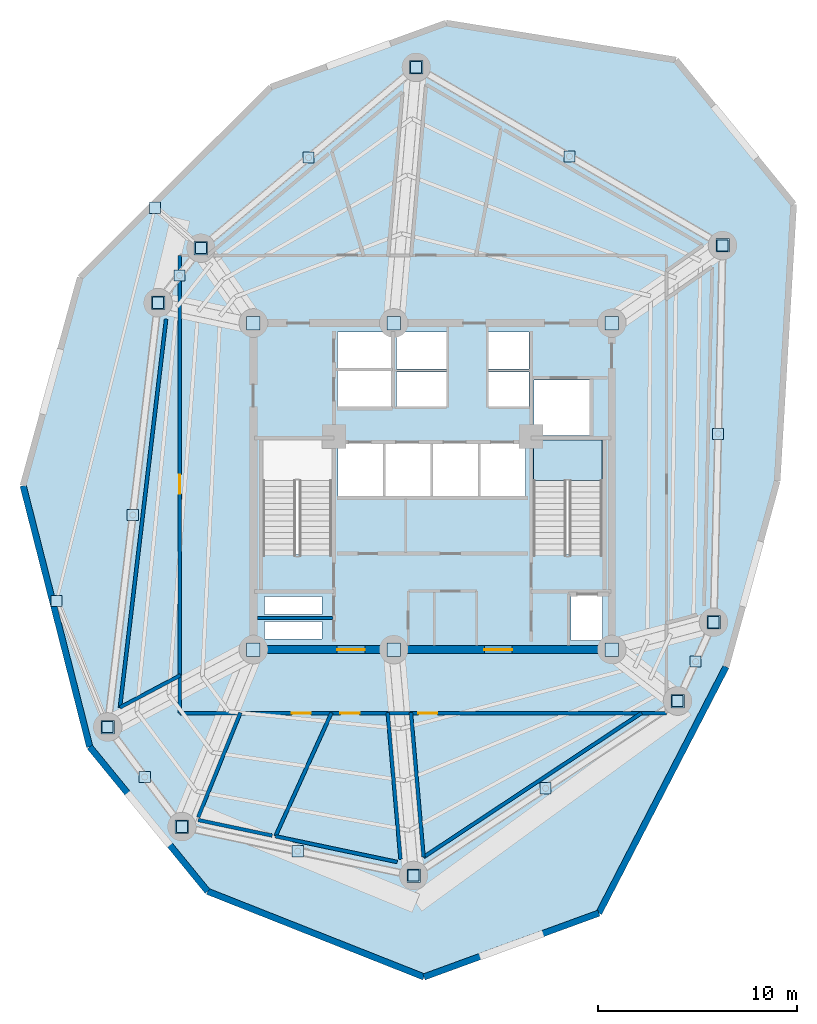
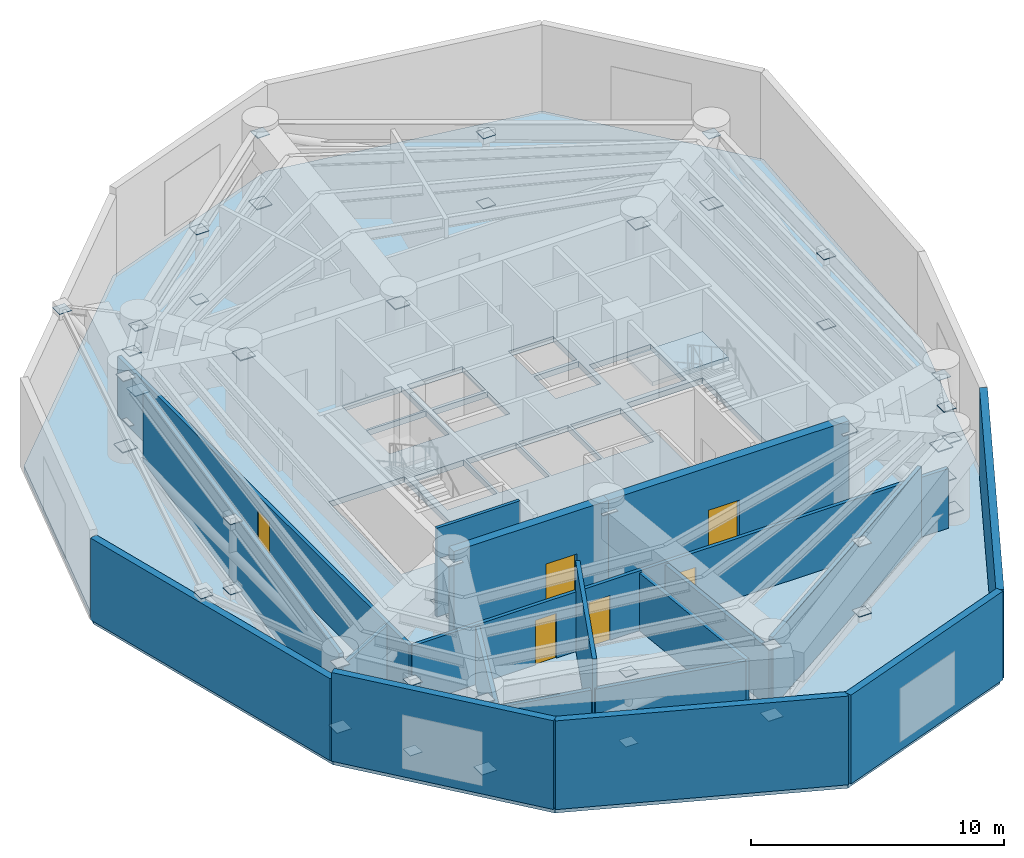
# One storey, part 5 of 11: 44 plates, 19 walls, 6 doors, 2 slabs, 6 openings, 1 element without a shape of its own.
"""IFC4 building model written with IfcOpenShell, lengths in metres."""

from ifc_helpers import new_model, si_unit, direction, frame, frame_2d, origin, origin_with_axes, origin_2d, place, context, subcontext, project, spatial, polyline, rectangle, outline, extrude, source, transform, mapped, material, layer, layer_set, type_object, element, fill, aggregate, save


model = new_model("IFC4")

# Units and contexts
model_context = context("Model", 3, precision=1e-05, world=origin(), true_north=direction((0.0, 1.0)))
body_context = subcontext(model_context, "Body", "Model", "MODEL_VIEW")
ifc_project = project(units=[si_unit("LENGTHUNIT", "METRE"), si_unit("AREAUNIT", "SQUARE_METRE"), si_unit("VOLUMEUNIT", "CUBIC_METRE"), si_unit("PLANEANGLEUNIT", "RADIAN"), si_unit("MASSUNIT", "GRAM", prefix="KILO")], contexts=[model_context])

# Site, building, storey
site_placement = place(None, origin())
site = spatial("IfcSite", under=ifc_project, at=site_placement, CompositionType="ELEMENT")
building_placement = place(site_placement, origin())
building = spatial("IfcBuilding", under=site, at=building_placement, Name="Karkom Vertical University and Central Library", CompositionType="ELEMENT")
storey_placement = place(building_placement, frame((0.0, 0.0, 148.050048828125)))
storey = spatial("IfcBuildingStorey", under=building, at=storey_placement, Name="P42", CompositionType="ELEMENT", Elevation=148.050048828125)

# Stair, slab
ifc_material_1 = material(Name="Concrete C45/55", Category="concrete")
stair_type = type_object("IfcStairType", Name="INT-STR-ST-MAIN", PredefinedType="HALF_TURN_STAIR", material=ifc_material_1)
stair_placement = place(storey_placement, origin())
stair = element("IfcStair", 1, at=stair_placement, inside=storey, type_object=stair_type, Name="Plant Level 42 Tower Protected Exit Stair ST-2", PredefinedType="HALF_TURN_STAIR")
ifc_layer_1 = layer(ifc_material_1, 0.199951171875)
ifc_layer_set_1 = layer_set([ifc_layer_1], Name="Concrete C45/55")
slab_type_1 = type_object("IfcSlabType", Name="INT-SLB-LANDING", PredefinedType="LANDING", material=ifc_layer_set_1)
slab_1_placement = place(storey_placement, frame((0.0, 0.0, 2.050048828125)))
slab_1 = element("IfcSlab", 2, at=slab_1_placement, type_object=slab_type_1, Name="ST-2 landing 1", PredefinedType="LANDING", context=body_context, shape_type="SweptSolid", body=[
    extrude(outline(polyline([(37.02001953125, 26.7900390625), (37.02001953125, 28.820068359375), (33.56005859375, 28.820068359375), (33.56005859375, 26.7900390625), (37.02001953125, 26.7900390625)])), origin(), (0.0, 0.0, 1.0), 0.199951171875),
])
aggregate(stair, [slab_1])

# Slab
ifc_layer_2 = layer(ifc_material_1, 0.27490234375)
ifc_layer_set_2 = layer_set([ifc_layer_2], Name="Concrete C45/55")
slab_type_2 = type_object("IfcSlabType", Name="STR-SLB-FLR-275", PredefinedType="FLOOR", material=ifc_layer_set_2)
slab_2_placement = place(storey_placement, frame((0.0, 0.0, -0.275146484375)))
element("IfcSlab", 3, at=slab_2_placement, inside=storey, type_object=slab_type_2, Name="Plant Level 42 Tower Structural Floor Slab", PredefinedType="FLOOR", context=body_context, shape_type="SweptSolid", body=[
    extrude(outline(polyline([(10.79931640625, 36.9833984375), (7.927978515625, 26.52978515625), (11.273681640625, 13.4111328125), (17.19873046875, 6.150390625), (28.067626953125, 1.85009765625), (36.8515625, 5.05810546875), (43.241455078125, 17.431884765625), (45.80517578125, 26.764892578125), (46.6328125, 40.666748046875), (40.720703125, 47.911865234375), (29.179931640625, 49.76708984375), (20.377197265625, 46.552001953125), (10.79931640625, 36.9833984375)]), holes=[polyline([(19.97998046875, 23.0849609375), (23.43994140625, 23.0849609375), (23.43994140625, 28.820068359375), (19.97998046875, 28.820068359375), (19.97998046875, 23.0849609375)]), polyline([(33.56005859375, 23.0849609375), (37.02001953125, 23.0849609375), (37.02001953125, 28.820068359375), (33.56005859375, 28.820068359375), (33.56005859375, 23.0849609375)]), polyline([(23.75, 26.0), (26.030029296875, 26.0), (26.030029296875, 28.64990234375), (23.75, 28.64990234375), (23.75, 26.0)]), polyline([(26.1298828125, 26.0), (28.409912109375, 26.0), (28.409912109375, 28.64990234375), (26.1298828125, 28.64990234375), (26.1298828125, 26.0)]), polyline([(28.510009765625, 26.0), (30.7900390625, 26.0), (30.7900390625, 28.64990234375), (28.510009765625, 28.64990234375), (28.510009765625, 26.0)]), polyline([(30.889892578125, 26.0), (33.169921875, 26.0), (33.169921875, 28.64990234375), (30.889892578125, 28.64990234375), (30.889892578125, 26.0)]), polyline([(26.679931640625, 30.5), (29.199951171875, 30.5), (29.199951171875, 32.25), (26.679931640625, 32.25), (26.679931640625, 30.5)]), polyline([(26.679931640625, 32.39990234375), (29.199951171875, 32.39990234375), (29.199951171875, 34.25), (26.679931640625, 34.25), (26.679931640625, 32.39990234375)]), polyline([(31.300048828125, 30.5), (33.35009765625, 30.5), (33.35009765625, 32.25), (31.300048828125, 32.25), (31.300048828125, 30.5)]), polyline([(31.300048828125, 32.39990234375), (33.35009765625, 32.39990234375), (33.35009765625, 34.25), (31.300048828125, 34.25), (31.300048828125, 32.39990234375)]), polyline([(23.719970703125, 30.47998046875), (26.429931640625, 30.47998046875), (26.429931640625, 32.320068359375), (23.719970703125, 32.320068359375), (23.719970703125, 30.47998046875)]), polyline([(23.719970703125, 32.419921875), (26.429931640625, 32.419921875), (26.429931640625, 34.260009765625), (23.719970703125, 34.260009765625), (23.719970703125, 32.419921875)]), polyline([(33.60009765625, 29.050048828125), (36.39990234375, 29.050048828125), (36.39990234375, 31.85009765625), (33.60009765625, 31.85009765625), (33.60009765625, 29.050048828125)]), polyline([(20.050048828125, 18.820068359375), (22.949951171875, 18.820068359375), (22.949951171875, 19.719970703125), (20.050048828125, 19.719970703125), (20.050048828125, 18.820068359375)]), polyline([(20.050048828125, 20.06005859375), (22.949951171875, 20.06005859375), (22.949951171875, 20.9599609375), (20.050048828125, 20.9599609375), (20.050048828125, 20.06005859375)]), polyline([(35.4599609375, 18.760009765625), (37.0400390625, 18.760009765625), (37.0400390625, 21.010009765625), (35.4599609375, 21.010009765625), (35.4599609375, 18.760009765625)])]), origin(), (0.0, 0.0, 1.0), 0.275146484375),
])

# Plates
ifc_material_2 = material(Name="Steel S355", Category="steel")
ifc_layer_3 = layer(ifc_material_2, 0.028076171875)
ifc_layer_set_3 = layer_set([ifc_layer_3], Name="Steel S355")
plate_type_1 = type_object("IfcPlateType", Name="STR-PLT-GP-2", PredefinedType="USERDEFINED", material=ifc_layer_set_3)
shared_shape_1 = source(origin_with_axes(), body_context, "Body", "SweptSolid", [
    extrude(rectangle(XDim=0.56005859375, YDim=0.56005859375, at=origin_2d()), origin(), (0.0, 0.0, 1.0), 0.028076171875),
])
for number, where, z_axis, x_axis, name in (
    (4, (14.562255859375, 40.489990234375, 4.095703125), (0.0, 0.0, 1.0), (1.0, 0.0, 0.0), "Plant Level 42 Node Gusset Cap Plate P42-SKG-KNEE-1 B"),
    (5, (9.609619140625, 20.74365234375, 4.095703125), (0.0, 0.0, 1.0), (1.0, 0.0, 0.0), "Plant Level 42 Node Gusset Cap Plate P42-SKG-KNEE-2 B"),
    (6, (43.070068359375, 38.60009765625, 3.7109375), (0.0, 0.0, 1.0), (1.0, 0.0, 0.0), "Plant Level 42 Node Gusset Cap Plate P42-BELT-BRACE-01 B"),
    (7, (42.844482421875, 29.135986328125, 0.3359375), (0.0, 0.0, 1.0), (1.0, 0.0, 0.0), "Plant Level 42 Node Gusset Cap Plate P42-BELT-POST-01 A"),
    (8, (42.844482421875, 29.135986328125, 3.7109375), (0.0, 0.0, 1.0), (1.0, 0.0, 0.0), "Plant Level 42 Node Gusset Cap Plate P42-BELT-POST-01 B"),
    (9, (27.674072265625, 47.551025390625, 3.7109375), (0.0, 0.0, 1.0), (1.0, 0.0, 0.0), "Plant Level 42 Node Gusset Cap Plate P42-BELT-BRACE-02 B"),
    (10, (35.3720703125, 43.075439453125, 0.3359375), (0.0, 0.0, 1.0), (1.0, 0.0, 0.0), "Plant Level 42 Node Gusset Cap Plate P42-BELT-POST-02 A"),
    (11, (35.3720703125, 43.075439453125, 3.7109375), (0.0, 0.0, 1.0), (1.0, 0.0, 0.0), "Plant Level 42 Node Gusset Cap Plate P42-BELT-POST-02 B"),
    (12, (16.862060546875, 38.468017578125, 3.7109375), (0.0, 0.0, 1.0), (1.0, 0.0, 0.0), "Plant Level 42 Node Gusset Cap Plate P42-BELT-BRACE-03 B"),
    (13, (22.26806640625, 43.009521484375, 0.3359375), (0.0, 0.0, 1.0), (1.0, 0.0, 0.0), "Plant Level 42 Node Gusset Cap Plate P42-BELT-POST-03 A"),
    (14, (22.26806640625, 43.009521484375, 3.7109375), (0.0, 0.0, 1.0), (1.0, 0.0, 0.0), "Plant Level 42 Node Gusset Cap Plate P42-BELT-POST-03 B"),
    (15, (14.70703125, 35.718994140625, 3.7109375), (0.0, 0.0, 1.0), (1.0, 0.0, 0.0), "Plant Level 42 Node Gusset Cap Plate P42-BELT-BRACE-04 B"),
    (16, (15.784423828125, 37.093505859375, 0.3359375), (0.0, 0.0, 1.0), (1.0, 0.0, 0.0), "Plant Level 42 Node Gusset Cap Plate P42-BELT-POST-04 A"),
    (17, (15.784423828125, 37.093505859375, 3.7109375), (0.0, 0.0, 1.0), (1.0, 0.0, 0.0), "Plant Level 42 Node Gusset Cap Plate P42-BELT-POST-04 B"),
    (18, (12.172119140625, 14.403076171875, 3.7109375), (0.0, 0.0, 1.0), (1.0, 0.0, 0.0), "Plant Level 42 Node Gusset Cap Plate P42-BELT-BRACE-05 B"),
    (19, (13.439453125, 25.06103515625, 0.3359375), (0.0, 0.0, 1.0), (1.0, 0.0, 0.0), "Plant Level 42 Node Gusset Cap Plate P42-BELT-POST-05 A"),
    (20, (13.439453125, 25.06103515625, 3.7109375), (0.0, 0.0, 1.0), (1.0, 0.0, 0.0), "Plant Level 42 Node Gusset Cap Plate P42-BELT-POST-05 B"),
    (21, (15.904052734375, 9.39892578125, 3.7109375), (0.0, 0.0, 1.0), (1.0, 0.0, 0.0), "Plant Level 42 Node Gusset Cap Plate P42-BELT-BRACE-06 B"),
    (22, (14.0380859375, 11.90087890625, 0.3359375), (0.0, 0.0, 1.0), (1.0, 0.0, 0.0), "Plant Level 42 Node Gusset Cap Plate P42-BELT-POST-06 A"),
    (23, (14.0380859375, 11.90087890625, 3.7109375), (0.0, 0.0, 1.0), (1.0, 0.0, 0.0), "Plant Level 42 Node Gusset Cap Plate P42-BELT-POST-06 B"),
    (24, (27.5439453125, 6.943115234375, 3.7109375), (0.0, 0.0, 1.0), (1.0, 0.0, 0.0), "Plant Level 42 Node Gusset Cap Plate P42-BELT-BRACE-07 B"),
    (25, (21.72412109375, 8.1708984375, 0.3359375), (0.0, 0.0, 1.0), (1.0, 0.0, 0.0), "Plant Level 42 Node Gusset Cap Plate P42-BELT-POST-07 A"),
    (26, (21.72412109375, 8.1708984375, 3.7109375), (0.0, 0.0, 1.0), (1.0, 0.0, 0.0), "Plant Level 42 Node Gusset Cap Plate P42-BELT-POST-07 B"),
    (27, (40.81005859375, 15.714111328125, 3.7109375), (0.0, 0.0, 1.0), (1.0, 0.0, 0.0), "Plant Level 42 Node Gusset Cap Plate P42-BELT-BRACE-08 B"),
    (28, (34.177001953125, 11.32861328125, 0.3359375), (0.0, 0.0, 1.0), (1.0, 0.0, 0.0), "Plant Level 42 Node Gusset Cap Plate P42-BELT-POST-08 A"),
    (29, (34.177001953125, 11.32861328125, 3.7109375), (0.0, 0.0, 1.0), (1.0, 0.0, 0.0), "Plant Level 42 Node Gusset Cap Plate P42-BELT-POST-08 B"),
    (30, (42.618896484375, 19.672119140625, 3.7109375), (0.0, 0.0, 1.0), (1.0, 0.0, 0.0), "Plant Level 42 Node Gusset Cap Plate P42-BELT-BRACE-09 B"),
    (31, (41.714599609375, 17.693115234375, 0.3359375), (0.0, 0.0, 1.0), (1.0, 0.0, 0.0), "Plant Level 42 Node Gusset Cap Plate P42-BELT-POST-09 A"),
    (32, (41.714599609375, 17.693115234375, 3.7109375), (0.0, 0.0, 1.0), (1.0, 0.0, 0.0), "Plant Level 42 Node Gusset Cap Plate P42-BELT-POST-09 B"),
):
    element("IfcPlate", number, at=place(storey_placement, frame(where, z_axis=z_axis, x_axis=x_axis)), inside=storey, type_object=plate_type_1, Name=name, ObjectType="GUSSET PLATE", PredefinedType="USERDEFINED", context=body_context, shape_type="MappedRepresentation", body=[
        mapped(shared_shape_1, transform((0.0, 0.0, 0.0), scale=1.0)),
    ])
ifc_layer_4 = layer(ifc_material_2, 0.031982421875)
ifc_layer_set_4 = layer_set([ifc_layer_4], Name="Steel S355")
plate_type_2 = type_object("IfcPlateType", Name="STR-PLT-GP-1", PredefinedType="USERDEFINED", material=ifc_layer_set_4)
shared_shape_2 = source(origin_with_axes(), body_context, "Body", "SweptSolid", [
    extrude(rectangle(XDim=0.679931640625, YDim=0.679931640625, at=origin_2d()), origin(), (0.0, 0.0, 1.0), 0.031982421875),
])
for number, where, z_axis, x_axis, name in (
    (33, (16.862060546875, 38.468017578125, 0.61376953125), (0.0, 0.0, 1.0), (1.0, 0.0, 0.0), "Plant Level 42 Node Gusset Cap Plate P42-SKG-KNEE-1 A"),
    (34, (12.172119140625, 14.403076171875, 0.61376953125), (0.0, 0.0, 1.0), (1.0, 0.0, 0.0), "Plant Level 42 Node Gusset Cap Plate P42-SKG-KNEE-2 A"),
    (35, (42.618896484375, 19.672119140625, 0.333984375), (0.0, 0.0, 1.0), (1.0, 0.0, 0.0), "Plant Level 42 Node Gusset Cap Plate P42-BELT-BRACE-01 A"),
    (36, (43.070068359375, 38.60009765625, 0.333984375), (0.0, 0.0, 1.0), (1.0, 0.0, 0.0), "Plant Level 42 Node Gusset Cap Plate P42-BELT-CHORD-01 B"),
    (37, (27.674072265625, 47.551025390625, 0.333984375), (0.0, 0.0, 1.0), (1.0, 0.0, 0.0), "Plant Level 42 Node Gusset Cap Plate P42-BELT-CHORD-02 B"),
    (38, (14.70703125, 35.718994140625, 0.333984375), (0.0, 0.0, 1.0), (1.0, 0.0, 0.0), "Plant Level 42 Node Gusset Cap Plate P42-BELT-CHORD-04 B"),
    (39, (15.904052734375, 9.39892578125, 0.333984375), (0.0, 0.0, 1.0), (1.0, 0.0, 0.0), "Plant Level 42 Node Gusset Cap Plate P42-BELT-CHORD-06 B"),
    (40, (27.5439453125, 6.943115234375, 0.333984375), (0.0, 0.0, 1.0), (1.0, 0.0, 0.0), "Plant Level 42 Node Gusset Cap Plate P42-BELT-CHORD-07 B"),
    (41, (40.81005859375, 15.714111328125, 0.333984375), (0.0, 0.0, 1.0), (1.0, 0.0, 0.0), "Plant Level 42 Node Gusset Cap Plate P42-BELT-CHORD-08 B"),
    (42, (37.5, 18.300048828125, 3.708984375), (0.0, 0.0, 1.0), (1.0, 0.0, 0.0), "Plant Level 42 Node Gusset Cap Plate P42-OUTRIGGER-BRACE-01 A"),
    (43, (37.5, 34.699951171875, 3.708984375), (0.0, 0.0, 1.0), (1.0, 0.0, 0.0), "Plant Level 42 Node Gusset Cap Plate P42-OUTRIGGER-BRACE-02 A"),
    (44, (26.550048828125, 34.699951171875, 3.708984375), (0.0, 0.0, 1.0), (1.0, 0.0, 0.0), "Plant Level 42 Node Gusset Cap Plate P42-OUTRIGGER-BRACE-03 A"),
    (45, (19.5, 34.699951171875, 3.708984375), (0.0, 0.0, 1.0), (1.0, 0.0, 0.0), "Plant Level 42 Node Gusset Cap Plate P42-OUTRIGGER-BRACE-04 A"),
    (46, (19.5, 18.300048828125, 3.708984375), (0.0, 0.0, 1.0), (1.0, 0.0, 0.0), "Plant Level 42 Node Gusset Cap Plate P42-OUTRIGGER-BRACE-06 A"),
    (47, (26.550048828125, 18.300048828125, 3.708984375), (0.0, 0.0, 1.0), (1.0, 0.0, 0.0), "Plant Level 42 Node Gusset Cap Plate P42-OUTRIGGER-BRACE-08 A"),
):
    element("IfcPlate", number, at=place(storey_placement, frame(where, z_axis=z_axis, x_axis=x_axis)), inside=storey, type_object=plate_type_2, Name=name, ObjectType="GUSSET PLATE", PredefinedType="USERDEFINED", context=body_context, shape_type="MappedRepresentation", body=[
        mapped(shared_shape_2, transform((0.0, 0.0, 0.0), scale=1.0)),
    ])

# Walls
ifc_material_3 = material(Name="Brick-faced precast concrete C45/55", Category="masonry")
ifc_layer_5 = layer(ifc_material_3, 0.320068359375)
ifc_layer_set_5 = layer_set([ifc_layer_5], Name="Brick-faced precast concrete C45/55")
wall_type_1 = type_object("IfcWallType", Name="ENV-WL-BRK-320", PredefinedType="SOLIDWALL", material=ifc_layer_set_5)
wall_1_placement = place(storey_placement, frame((7.927978515625, 26.52978515625, 0.0), z_axis=(0.0, 0.0, 1.0), x_axis=(0.247123892638, -0.968983891346, 0.0)))
element("IfcWall", 48, at=wall_1_placement, inside=storey, type_object=wall_type_1, Name="Plant Level 42 Brick-Faced Precast Facade Wall 02", PredefinedType="SOLIDWALL", context=body_context, shape_type="SweptSolid", body=[
    extrude(rectangle(XDim=13.53857421875, YDim=0.320068359375, at=frame_2d((6.769287109375, 0.0))), origin(), (0.0, 0.0, 1.0), 3.945068359375),
])
wall_2_placement = place(storey_placement, frame((11.273681640625, 13.4111328125, 0.0), z_axis=(0.0, 0.0, 1.0), x_axis=(0.632242798303, -0.774770316929, 0.0)))
element("IfcWall", 49, at=wall_2_placement, inside=storey, type_object=wall_type_1, Name="Plant Level 42 Brick-Faced Precast Facade Wall 03", PredefinedType="SOLIDWALL", context=body_context, shape_type="SweptSolid", body=[
    extrude(rectangle(XDim=9.37158203125, YDim=0.320068359375, at=frame_2d((4.685791015625, 0.0))), origin(), (0.0, 0.0, 1.0), 4.27490234375),
])
wall_3_placement = place(storey_placement, frame((17.19873046875, 6.150390625, 0.0), z_axis=(0.0, 0.0, 1.0), x_axis=(0.929864528453, -0.367902104813, 0.0)))
element("IfcWall", 50, at=wall_3_placement, inside=storey, type_object=wall_type_1, Name="Plant Level 42 Brick-Faced Precast Facade Wall 04", PredefinedType="SOLIDWALL", context=body_context, shape_type="SweptSolid", body=[
    extrude(rectangle(XDim=11.688720703125, YDim=0.320068359375, at=frame_2d((5.84423828125, 0.0))), origin(), (0.0, 0.0, 1.0), 4.27490234375),
])
wall_4_placement = place(storey_placement, frame((28.067626953125, 1.85009765625, 0.0), z_axis=(0.0, 0.0, 1.0), x_axis=(0.939316863703, 0.3430507682, 0.0)))
element("IfcWall", 51, at=wall_4_placement, inside=storey, type_object=wall_type_1, Name="Plant Level 42 Brick-Faced Precast Facade Wall 05", PredefinedType="SOLIDWALL", context=body_context, shape_type="SweptSolid", body=[
    extrude(rectangle(XDim=9.351318359375, YDim=0.320068359375, at=frame_2d((4.67578125, 0.0))), origin(), (0.0, 0.0, 1.0), 4.27490234375),
])
wall_5_placement = place(storey_placement, frame((36.8515625, 5.05810546875, 0.0), z_axis=(0.0, 0.0, 1.0), x_axis=(0.458837160791, 0.888520376737, 0.0)))
element("IfcWall", 52, at=wall_5_placement, inside=storey, type_object=wall_type_1, Name="Plant Level 42 Brick-Faced Precast Facade Wall 06", PredefinedType="SOLIDWALL", context=body_context, shape_type="SweptSolid", body=[
    extrude(rectangle(XDim=13.92626953125, YDim=0.320068359375, at=frame_2d((6.963134765625, 0.0))), origin(), (0.0, 0.0, 1.0), 4.27490234375),
])

# Wall, openings, doors
ifc_material_4 = material(Name="Insulated metal-stud drywall 160mm", Category="gypsum")
ifc_layer_6 = layer(ifc_material_4, 0.159912109375)
ifc_layer_set_6 = layer_set([ifc_layer_6], Name="Insulated metal-stud drywall 160mm")
wall_type_2 = type_object("IfcWallType", Name="INT-WL-COR-160F", PredefinedType="PARTITIONING", material=ifc_layer_set_6)
wall_6_placement = place(storey_placement, frame((40.25, 15.10009765625, 0.0), z_axis=(0.0, 0.0, 1.0), x_axis=(-1.0, 0.0, 0.0)))
wall_6 = element("IfcWall", 53, at=wall_6_placement, inside=storey, type_object=wall_type_2, Name="Plant Level 42 Interior Partition Wall P42-PCORW-CW-001", PredefinedType="PARTITIONING", context=body_context, shape_type="SweptSolid", body=[
    extrude(rectangle(XDim=24.449951171875, YDim=0.159912109375, at=frame_2d((12.22509765625, 0.0))), origin(), (0.0, 0.0, 1.0), 2.875),
])
opening_1_placement = place(wall_6_placement, frame((11.510009765625, 0.0, 0.0)))
opening_1 = element("IfcOpeningElement", 54, at=opening_1_placement, cuts=wall_6, Name="Opening FD-RM1", PredefinedType="OPENING", context=body_context, shape_type="SweptSolid", body=[
    extrude(rectangle(XDim=0.9599609375, YDim=2.14990234375, at=frame_2d((0.47998046875, 1.074951171875))), frame((0.0, 0.08984375, 0.0), z_axis=(0.0, -1.0, 0.0), x_axis=(1.0, 0.0, 0.0)), (0.0, 0.0, 1.0), 0.179931640625),
])
opening_2_placement = place(wall_6_placement, frame((17.862548828125, 0.0, 0.0)))
opening_2 = element("IfcOpeningElement", 55, at=opening_2_placement, cuts=wall_6, Name="Opening FD-RM1", PredefinedType="OPENING", context=body_context, shape_type="SweptSolid", body=[
    extrude(rectangle(XDim=0.9599609375, YDim=2.14990234375, at=frame_2d((0.47998046875, 1.074951171875))), frame((0.0, 0.08984375, 0.0), z_axis=(0.0, -1.0, 0.0), x_axis=(1.0, 0.0, 0.0)), (0.0, 0.0, 1.0), 0.179931640625),
])
opening_3_placement = place(wall_6_placement, frame((15.41748046875, 0.0, 0.0)))
opening_3 = element("IfcOpeningElement", 56, at=opening_3_placement, cuts=wall_6, Name="Opening FD-RM1", PredefinedType="OPENING", context=body_context, shape_type="SweptSolid", body=[
    extrude(rectangle(XDim=0.9599609375, YDim=2.14990234375, at=frame_2d((0.47998046875, 1.074951171875))), frame((0.0, 0.08984375, 0.0), z_axis=(0.0, -1.0, 0.0), x_axis=(1.0, 0.0, 0.0)), (0.0, 0.0, 1.0), 0.179931640625),
])
ifc_material_5 = material(Name="Fire-rated oak veneer door", Category="wood")
door_type_1 = type_object("IfcDoorType", Name="INT-DR-FRM1", OperationType="NOTDEFINED", PredefinedType="DOOR", material=ifc_material_5)
shared_shape_3 = source(origin_with_axes(), body_context, "Body", "SweptSolid", [
    extrude(rectangle(XDim=0.9599609375, YDim=2.14990234375, at=frame_2d((0.47998046875, 1.074951171875))), frame((0.0, 0.02490234375, 0.0), z_axis=(0.0, -1.0, 0.0), x_axis=(1.0, 0.0, 0.0)), (0.0, 0.0, 1.0), 0.050048828125),
])
door_1_placement = place(opening_1_placement, origin())
door_1 = element("IfcDoor", 57, at=door_1_placement, inside=storey, type_object=door_type_1, Name="Plant Level 42 Room Entry Door 703", OperationType="SINGLE_SWING_RIGHT", OverallHeight=2.14990234375, OverallWidth=0.9599609375, PredefinedType="DOOR", context=body_context, shape_type="MappedRepresentation", body=[
    mapped(shared_shape_3, transform((0.0, 0.0, 0.0), scale=1.0)),
])
fill(opening_1, door_1)
door_2_placement = place(opening_2_placement, origin())
door_2 = element("IfcDoor", 58, at=door_2_placement, inside=storey, type_object=door_type_1, Name="Plant Level 42 Room Entry Door 701", OperationType="SINGLE_SWING_LEFT", OverallHeight=2.14990234375, OverallWidth=0.9599609375, PredefinedType="DOOR", context=body_context, shape_type="MappedRepresentation", body=[
    mapped(shared_shape_3, transform((0.0, 0.0, 0.0), scale=1.0)),
])
fill(opening_2, door_2)
door_3_placement = place(opening_3_placement, origin())
door_3 = element("IfcDoor", 59, at=door_3_placement, inside=storey, type_object=door_type_1, Name="Plant Level 42 Room Entry Door 702", OperationType="SINGLE_SWING_RIGHT", OverallHeight=2.14990234375, OverallWidth=0.9599609375, PredefinedType="DOOR", context=body_context, shape_type="MappedRepresentation", body=[
    mapped(shared_shape_3, transform((0.0, 0.0, 0.0), scale=1.0)),
])
fill(opening_3, door_3)

# Wall, opening, door
wall_7_placement = place(storey_placement, frame((15.800048828125, 15.10009765625, 0.0), z_axis=(0.0, 0.0, 1.0), x_axis=(0.0, 1.0, 0.0)))
wall_7 = element("IfcWall", 60, at=wall_7_placement, inside=storey, type_object=wall_type_2, Name="Plant Level 42 Interior Partition Wall P42-PCORW-CW-002", PredefinedType="PARTITIONING", context=body_context, shape_type="SweptSolid", body=[
    extrude(rectangle(XDim=23.0, YDim=0.159912109375, at=frame_2d((11.5, 0.0))), origin(), (0.0, 0.0, 1.0), 2.875),
])
opening_4_placement = place(wall_7_placement, frame((11.02490234375, 0.0, 0.0)))
opening_4 = element("IfcOpeningElement", 61, at=opening_4_placement, cuts=wall_7, Name="Opening FD-RM1", PredefinedType="OPENING", context=body_context, shape_type="SweptSolid", body=[
    extrude(rectangle(XDim=0.9599609375, YDim=2.14990234375, at=frame_2d((0.47998046875, 1.074951171875))), frame((0.0, 0.08984375, 0.0), z_axis=(0.0, -1.0, 0.0), x_axis=(1.0, 0.0, 0.0)), (0.0, 0.0, 1.0), 0.179931640625),
])
door_4_placement = place(opening_4_placement, origin())
door_4 = element("IfcDoor", 62, at=door_4_placement, inside=storey, type_object=door_type_1, Name="Plant Level 42 Room Entry Door 700", OperationType="SINGLE_SWING_RIGHT", OverallHeight=2.14990234375, OverallWidth=0.9599609375, PredefinedType="DOOR", context=body_context, shape_type="MappedRepresentation", body=[
    mapped(shared_shape_3, transform((0.0, 0.0, 0.0), scale=1.0)),
])
fill(opening_4, door_4)

# Walls
ifc_material_6 = material(Name="Metal-stud gypsum partition 140mm", Category="gypsum")
ifc_layer_7 = layer(ifc_material_6, 0.139892578125)
ifc_layer_set_7 = layer_set([ifc_layer_7], Name="Metal-stud gypsum partition 140mm")
wall_type_3 = type_object("IfcWallType", Name="INT-WL-SUB-140H", PredefinedType="PARTITIONING", material=ifc_layer_set_7)
wall_8_placement = place(storey_placement, frame((19.70703125, 19.889892578125, 0.0), z_axis=(0.0, 0.0, 1.0), x_axis=(1.0, 0.0, 0.0)))
element("IfcWall", 63, at=wall_8_placement, inside=storey, type_object=wall_type_3, Name="Plant Level 42 Interior Partition Wall P42-CW-RIS-W", PredefinedType="PARTITIONING", context=body_context, shape_type="SweptSolid", body=[
    extrude(rectangle(XDim=3.789794921875, YDim=0.139892578125, at=frame_2d((1.89501953125, 0.0))), origin(), (0.0, 0.0, 1.0), 4.27490234375),
])
ifc_material_7 = material(Name="Twin-stud acoustic drywall 180mm", Category="gypsum")
ifc_layer_8 = layer(ifc_material_7, 0.179931640625)
ifc_layer_set_8 = layer_set([ifc_layer_8], Name="Twin-stud acoustic drywall 180mm")
wall_type_4 = type_object("IfcWallType", Name="INT-WL-TEN-180F", PredefinedType="PARTITIONING", material=ifc_layer_set_8)
wall_9_placement = place(storey_placement, frame((12.79296875, 15.39013671875, 0.0), z_axis=(0.0, 0.0, 1.0), x_axis=(0.118092107684, 0.993002645567, 0.0)))
element("IfcWall", 64, at=wall_9_placement, inside=storey, type_object=wall_type_4, Name="Plant Level 42 Interior Partition Wall P42-PLCHW-002", PredefinedType="PARTITIONING", context=body_context, shape_type="SweptSolid", body=[
    extrude(rectangle(XDim=19.646240234375, YDim=0.179931640625, at=frame_2d((9.8232421875, 0.0))), origin(), (0.0, 0.0, 1.0), 3.375),
])
wall_10_placement = place(storey_placement, frame((38.999755859375, 15.116455078125, 0.0), z_axis=(0.0, 0.0, 1.0), x_axis=(-0.834163511117, -0.551517213441, 0.0)))
element("IfcWall", 65, at=wall_10_placement, inside=storey, type_object=wall_type_4, Name="Plant Level 42 Interior Partition Wall P42-PLCHW-009", PredefinedType="PARTITIONING", context=body_context, shape_type="SweptSolid", body=[
    extrude(rectangle(XDim=13.1328125, YDim=0.179931640625, at=frame_2d((6.56640625, 0.0))), origin(), (0.0, 0.0, 1.0), 3.375),
])
wall_11_placement = place(storey_placement, frame((26.2451171875, 15.1298828125, 0.0), z_axis=(0.0, 0.0, 1.0), x_axis=(0.0871894748, -0.996191746344, 0.0)))
element("IfcWall", 66, at=wall_11_placement, inside=storey, type_object=wall_type_4, Name="Plant Level 42 Interior Partition Wall P42-PLCHW-007", PredefinedType="PARTITIONING", context=body_context, shape_type="SweptSolid", body=[
    extrude(rectangle(XDim=7.39501953125, YDim=0.179931640625, at=frame_2d((3.697509765625, 0.0))), origin(), (0.0, 0.0, 1.0), 2.77490234375),
])
wall_12_placement = place(storey_placement, frame((28.044921875, 7.87353515625, 0.0), z_axis=(0.0, 0.0, 1.0), x_axis=(-0.087199729468, 0.996190848774, 0.0)))
element("IfcWall", 67, at=wall_12_placement, inside=storey, type_object=wall_type_4, Name="Plant Level 42 Interior Partition Wall P42-PLCHW-010", PredefinedType="PARTITIONING", context=body_context, shape_type="SweptSolid", body=[
    extrude(rectangle(XDim=7.299072265625, YDim=0.179931640625, at=frame_2d((3.6494140625, 0.0))), origin(), (0.0, 0.0, 1.0), 2.77490234375),
])
wall_13_placement = place(storey_placement, frame((20.605224609375, 8.918212890625, 0.0), z_axis=(0.0, 0.0, 1.0), x_axis=(0.413417166683, 0.910541732318, 0.0)))
element("IfcWall", 68, at=wall_13_placement, inside=storey, type_object=wall_type_4, Name="Plant Level 42 Interior Partition Wall P42-PLCHW-006", PredefinedType="PARTITIONING", context=body_context, shape_type="SweptSolid", body=[
    extrude(rectangle(XDim=6.819091796875, YDim=0.179931640625, at=frame_2d((3.40966796875, 0.0))), origin(), (0.0, 0.0, 1.0), 4.27490234375),
])
wall_14_placement = place(storey_placement, frame((26.72412109375, 7.626953125, 0.0), z_axis=(0.0, 0.0, 1.0), x_axis=(-0.978450674913, 0.206480693437, 0.0)))
element("IfcWall", 69, at=wall_14_placement, inside=storey, type_object=wall_type_4, Name="Plant Level 42 Interior Partition Wall P42-PLCHW-008", PredefinedType="PARTITIONING", context=body_context, shape_type="SweptSolid", body=[
    extrude(rectangle(XDim=6.253662109375, YDim=0.179931640625, at=frame_2d((3.126953125, 0.0))), origin(), (0.0, 0.0, 1.0), 2.875),
])
wall_15_placement = place(storey_placement, frame((16.72412109375, 9.88037109375, 0.0), z_axis=(0.0, 0.0, 1.0), x_axis=(0.374579310396, 0.927194877155, 0.0)))
element("IfcWall", 70, at=wall_15_placement, inside=storey, type_object=wall_type_4, Name="Plant Level 42 Interior Partition Wall P42-PLCHW-003", PredefinedType="PARTITIONING", context=body_context, shape_type="SweptSolid", body=[
    extrude(rectangle(XDim=5.659423828125, YDim=0.179931640625, at=frame_2d((2.82958984375, 0.0))), origin(), (0.0, 0.0, 1.0), 2.77490234375),
])
wall_16_placement = place(storey_placement, frame((20.44482421875, 8.951904296875, 0.0), z_axis=(0.0, 0.0, 1.0), x_axis=(-0.978451581625, 0.206476396752, 0.0)))
element("IfcWall", 71, at=wall_16_placement, inside=storey, type_object=wall_type_4, Name="Plant Level 42 Interior Partition Wall P42-PLCHW-005", PredefinedType="PARTITIONING", context=body_context, shape_type="SweptSolid", body=[
    extrude(rectangle(XDim=3.802734375, YDim=0.179931640625, at=frame_2d((1.9013671875, 0.0))), origin(), (0.0, 0.0, 1.0), 2.875),
])
wall_17_placement = place(storey_placement, frame((15.839599609375, 17.01025390625, 0.0), z_axis=(0.0, 0.0, 1.0), x_axis=(-0.882924187659, -0.469515578917, 0.0)))
element("IfcWall", 72, at=wall_17_placement, inside=storey, type_object=wall_type_4, Name="Plant Level 42 Interior Partition Wall P42-PLCHW-001", PredefinedType="PARTITIONING", context=body_context, shape_type="SweptSolid", body=[
    extrude(rectangle(XDim=3.45068359375, YDim=0.179931640625, at=frame_2d((1.725341796875, 0.0))), origin(), (0.0, 0.0, 1.0), 2.77490234375),
])

# Wall, opening, door
ifc_material_8 = material(Name="Concrete C50/60", Category="concrete")
ifc_layer_9 = layer(ifc_material_8, 0.39990234375)
ifc_layer_set_9 = layer_set([ifc_layer_9], Name="Concrete C50/60")
wall_type_5 = type_object("IfcWallType", Name="STR-WL-CW-400", PredefinedType="SHEAR", material=ifc_layer_set_9)
wall_18_placement = place(storey_placement, frame((19.5, 18.300048828125, 0.0), z_axis=(0.0, 0.0, 1.0), x_axis=(1.0, 0.0, 0.0)))
wall_18 = element("IfcWall", 73, at=wall_18_placement, inside=storey, type_object=wall_type_5, Name="Plant Level 42 Central Core Shear Wall SW1", PredefinedType="SHEAR", context=body_context, shape_type="SweptSolid", body=[
    extrude(rectangle(XDim=7.050048828125, YDim=0.39990234375, at=frame_2d((3.52490234375, 0.0))), origin(), (0.0, 0.0, 1.0), 4.27490234375),
])
opening_5_placement = place(wall_18_placement, frame((4.199951171875, 0.0, 0.0)))
opening_5 = element("IfcOpeningElement", 74, at=opening_5_placement, cuts=wall_18, Name="Opening FD-CLB", PredefinedType="OPENING", context=body_context, shape_type="SweptSolid", body=[
    extrude(rectangle(XDim=1.39990234375, YDim=2.199951171875, at=frame_2d((0.699951171875, 1.10009765625))), frame((0.0, 0.2099609375, 0.0), z_axis=(0.0, -1.0, 0.0), x_axis=(1.0, 0.0, 0.0)), (0.0, 0.0, 1.0), 0.419921875),
])
ifc_material_9 = material(Name="Painted steel fire door", Category="steel")
door_type_2 = type_object("IfcDoorType", Name="INT-DR-CLB", OperationType="DOUBLE_DOOR_SINGLE_SWING", PredefinedType="DOOR", material=ifc_material_9)
shared_shape_4 = source(origin_with_axes(), body_context, "Body", "SweptSolid", [
    extrude(rectangle(XDim=1.39990234375, YDim=2.199951171875, at=frame_2d((0.699951171875, 1.10009765625))), frame((0.0, 0.02490234375, 0.0), z_axis=(0.0, -1.0, 0.0), x_axis=(1.0, 0.0, 0.0)), (0.0, 0.0, 1.0), 0.050048828125),
])
door_5_placement = place(opening_5_placement, origin())
door_5 = element("IfcDoor", 75, at=door_5_placement, inside=storey, type_object=door_type_2, Name="Plant Level 42 South Core Lobby West Exit Door", OperationType="DOUBLE_DOOR_SINGLE_SWING", OverallHeight=2.199951171875, OverallWidth=1.39990234375, PredefinedType="DOOR", context=body_context, shape_type="MappedRepresentation", body=[
    mapped(shared_shape_4, transform((0.0, 0.0, 0.0), scale=1.0)),
])
fill(opening_5, door_5)

wall_19_placement = place(storey_placement, frame((26.550048828125, 18.300048828125, 0.0), z_axis=(0.0, 0.0, 1.0), x_axis=(1.0, 0.0, 0.0)))
wall_19 = element("IfcWall", 76, at=wall_19_placement, inside=storey, type_object=wall_type_5, Name="Plant Level 42 Central Core Shear Wall SW2", PredefinedType="SHEAR", context=body_context, shape_type="SweptSolid", body=[
    extrude(rectangle(XDim=10.949951171875, YDim=0.39990234375, at=frame_2d((5.47509765625, 0.0))), origin(), (0.0, 0.0, 1.0), 4.27490234375),
])
opening_6_placement = place(wall_19_placement, frame((4.550048828125, 0.0, 0.0)))
opening_6 = element("IfcOpeningElement", 77, at=opening_6_placement, cuts=wall_19, Name="Opening FD-CLB", PredefinedType="OPENING", context=body_context, shape_type="SweptSolid", body=[
    extrude(rectangle(XDim=1.39990234375, YDim=2.199951171875, at=frame_2d((0.699951171875, 1.10009765625))), frame((0.0, 0.2099609375, 0.0), z_axis=(0.0, -1.0, 0.0), x_axis=(1.0, 0.0, 0.0)), (0.0, 0.0, 1.0), 0.419921875),
])
door_6_placement = place(opening_6_placement, origin())
door_6 = element("IfcDoor", 78, at=door_6_placement, inside=storey, type_object=door_type_2, Name="Plant Level 42 South Core Lobby East Exit Door", OperationType="DOUBLE_DOOR_SINGLE_SWING", OverallHeight=2.199951171875, OverallWidth=1.39990234375, PredefinedType="DOOR", context=body_context, shape_type="MappedRepresentation", body=[
    mapped(shared_shape_4, transform((0.0, 0.0, 0.0), scale=1.0)),
])
fill(opening_6, door_6)

save(model, "model.ifc")
